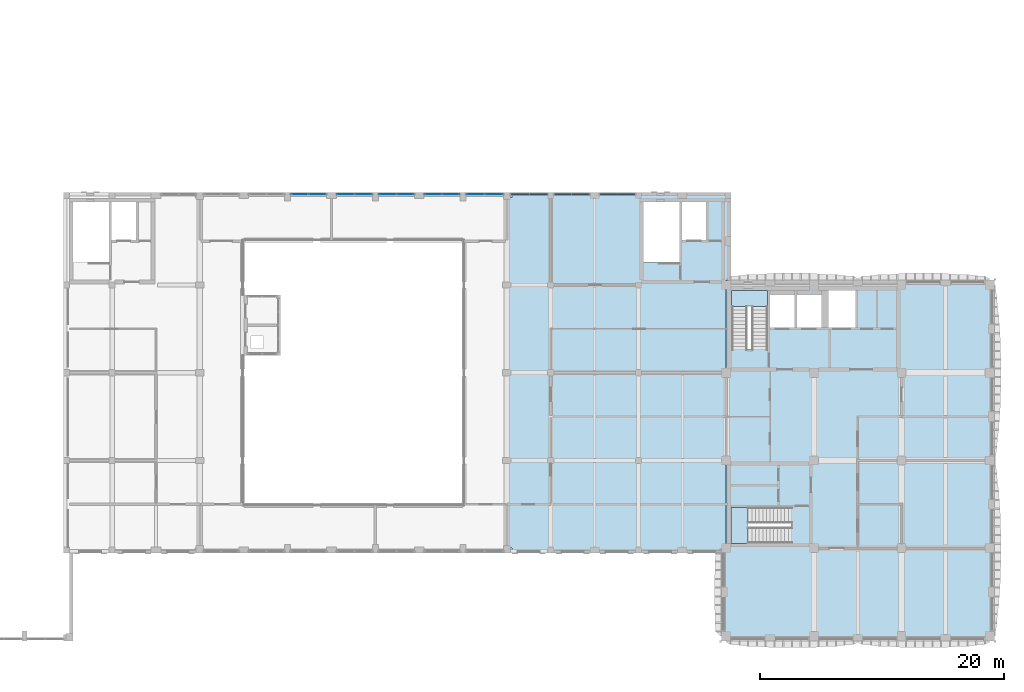
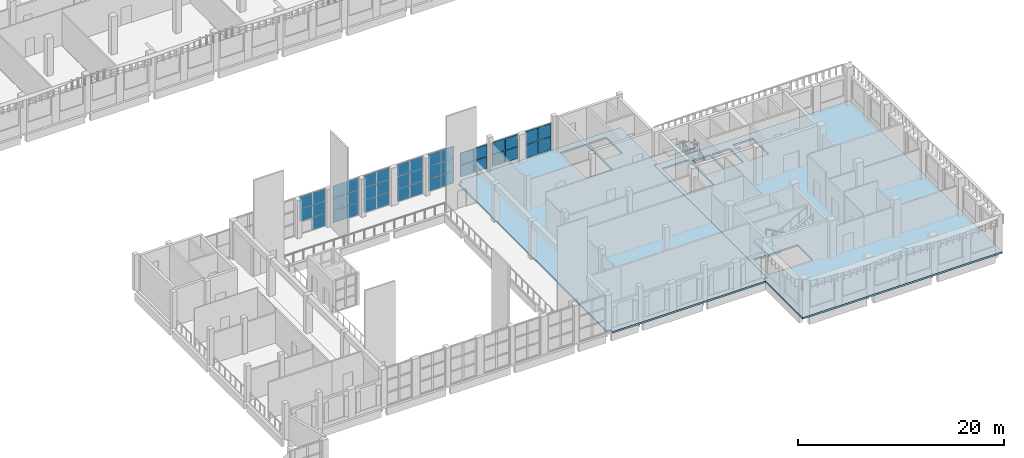
# One storey, part 16 of 54: 41 plates, 4 slabs, 10 elements without a shape of their own.
"""IFC4 building model written with IfcOpenShell, lengths in metres."""

from ifc_helpers import new_model, si_unit, direction, frame, origin, origin_2d, place, context, subcontext, project, spatial, polyline, rectangle, outline, extrude, material, layer, layer_set, type_object, element, aggregate, save


model = new_model("IFC4")

# Units and contexts
model_context = context("Model", 3, precision=1e-05, world=origin(), true_north=direction((0.0, 1.0)))
body_context = subcontext(model_context, "Body", "Model", "MODEL_VIEW")
ifc_project = project(units=[si_unit("LENGTHUNIT", "METRE"), si_unit("AREAUNIT", "SQUARE_METRE"), si_unit("VOLUMEUNIT", "CUBIC_METRE"), si_unit("PLANEANGLEUNIT", "RADIAN"), si_unit("MASSUNIT", "GRAM", prefix="KILO")], contexts=[model_context])

# Site, building, storey
site_placement = place(None, origin())
site = spatial("IfcSite", under=ifc_project, at=site_placement, CompositionType="ELEMENT")
building_placement = place(site_placement, origin())
building = spatial("IfcBuilding", under=site, at=building_placement, Name="Ussher Court Research Institute", CompositionType="ELEMENT")
storey_placement = place(building_placement, frame((0.0, 0.0, 14.39990234375)))
storey = spatial("IfcBuildingStorey", under=building, at=storey_placement, Name="L03", CompositionType="ELEMENT", Elevation=14.39990234375)

# Curtain wall, plates
ifc_material_1 = material(Name="Bronze anodised aluminium with fire-resisting glass", Category="aluminium")
ifc_layer_1 = layer(ifc_material_1, 0.1201171875)
ifc_layer_set_1 = layer_set([ifc_layer_1], Name="Bronze anodised aluminium with fire-resisting glass")
curtain_wall_type_1 = type_object("IfcCurtainWallType", Name="Curtain wall stair-side fire-resisting glazing", PredefinedType="NOTDEFINED", material=ifc_layer_set_1)
curtain_wall_1_placement = place(storey_placement, origin())
curtain_wall_1 = element("IfcCurtainWall", 1, at=curtain_wall_1_placement, inside=storey, type_object=curtain_wall_type_1, Name="Curtain wall CW13 L03", PredefinedType="NOTDEFINED")
ifc_material_2 = material(Name="Fire-resisting laminated glazed unit")
ifc_layer_2 = layer(ifc_material_2, 0.090087890625)
ifc_layer_set_2 = layer_set([ifc_layer_2], Name="Fire-resisting laminated glazed unit")
plate_type_1 = type_object("IfcPlateType", Name="Fire-resisting glazing panel EI 60 90 mm", PredefinedType="CURTAIN_PANEL", material=ifc_layer_set_2)
plate_1_placement = place(storey_placement, frame((72.552490234375, 40.25, 0.2099609375), z_axis=(0.0, 0.0, 1.0), x_axis=(1.0, 0.0, 0.0)))
plate_1 = element("IfcPlate", 2, at=plate_1_placement, type_object=plate_type_1, Name="CW13 panel 1.1", PredefinedType="CURTAIN_PANEL", context=body_context, shape_type="SweptSolid", body=[
    extrude(rectangle(XDim=1.385009765625, YDim=0.090087890625, at=origin_2d()), origin(), (0.0, 0.0, 1.0), 1.534912109375),
])
plate_2_placement = place(storey_placement, frame((72.552490234375, 40.25, 1.80517578125), z_axis=(0.0, 0.0, 1.0), x_axis=(1.0, 0.0, 0.0)))
plate_2 = element("IfcPlate", 3, at=plate_2_placement, type_object=plate_type_1, Name="CW13 panel 1.2", PredefinedType="CURTAIN_PANEL", context=body_context, shape_type="SweptSolid", body=[
    extrude(rectangle(XDim=1.385009765625, YDim=0.090087890625, at=origin_2d()), origin(), (0.0, 0.0, 1.0), 1.534912109375),
])
plate_3_placement = place(storey_placement, frame((73.99755859375, 40.25, 0.2099609375), z_axis=(0.0, 0.0, 1.0), x_axis=(1.0, 0.0, 0.0)))
plate_3 = element("IfcPlate", 4, at=plate_3_placement, type_object=plate_type_1, Name="CW13 panel 2.1", PredefinedType="CURTAIN_PANEL", context=body_context, shape_type="SweptSolid", body=[
    extrude(rectangle(XDim=1.385009765625, YDim=0.090087890625, at=origin_2d()), origin(), (0.0, 0.0, 1.0), 1.534912109375),
])
plate_4_placement = place(storey_placement, frame((73.99755859375, 40.25, 1.80517578125), z_axis=(0.0, 0.0, 1.0), x_axis=(1.0, 0.0, 0.0)))
plate_4 = element("IfcPlate", 5, at=plate_4_placement, type_object=plate_type_1, Name="CW13 panel 2.2", PredefinedType="CURTAIN_PANEL", context=body_context, shape_type="SweptSolid", body=[
    extrude(rectangle(XDim=1.385009765625, YDim=0.090087890625, at=origin_2d()), origin(), (0.0, 0.0, 1.0), 1.534912109375),
])
aggregate(curtain_wall_1, [plate_1, plate_2, plate_3, plate_4])

# Slabs
ifc_material_3 = material(Name="Concrete C35/45", Category="concrete")
ifc_layer_3 = layer(ifc_material_3, 0.199951171875)
ifc_layer_set_3 = layer_set([ifc_layer_3], Name="Concrete C35/45")
slab_type_1 = type_object("IfcSlabType", Name="Floor slab 200", PredefinedType="FLOOR", material=ifc_layer_set_3)
slab_1_placement = place(storey_placement, frame((0.0, 0.0, -0.199951171875)))
element("IfcSlab", 6, at=slab_1_placement, inside=storey, type_object=slab_type_1, Name="FS200 V4 L03-01", PredefinedType="FLOOR", context=body_context, shape_type="SweptSolid", body=[
    extrude(outline(polyline([(81.800048828125, 11.199951171875), (81.800048828125, 3.60009765625), (104.199951171875, 3.60009765625), (104.199951171875, 33.199951171875), (82.199951171875, 33.199951171875), (82.199951171875, 11.199951171875), (81.800048828125, 11.199951171875)]), holes=[polyline([(87.550048828125, 11.60009765625), (82.60009765625, 11.60009765625), (82.60009765625, 14.550048828125), (87.550048828125, 14.550048828125), (87.550048828125, 11.60009765625)]), polyline([(82.64990234375, 27.5), (82.64990234375, 32.35009765625), (85.60009765625, 32.35009765625), (85.60009765625, 27.5), (82.64990234375, 27.5)]), polyline([(87.800048828125, 29.300048828125), (85.800048828125, 29.300048828125), (85.800048828125, 32.0), (87.800048828125, 32.0), (87.800048828125, 29.300048828125)]), polyline([(90.0, 29.300048828125), (88.0, 29.300048828125), (88.0, 32.0), (90.0, 32.0), (90.0, 29.300048828125)]), polyline([(92.800048828125, 29.300048828125), (90.60009765625, 29.300048828125), (90.60009765625, 32.35009765625), (92.800048828125, 32.35009765625), (92.800048828125, 29.300048828125)])]), origin(), (0.0, 0.0, 1.0), 0.199951171875),
])
slab_2_placement = place(storey_placement, frame((0.0, 0.0, -0.199951171875)))
element("IfcSlab", 7, at=slab_2_placement, inside=storey, type_object=slab_type_1, Name="FS200 V7 L03-01", PredefinedType="FLOOR", context=body_context, shape_type="SweptSolid", body=[
    extrude(outline(polyline([(64.199951171875, 40.0), (64.199951171875, 11.199951171875), (64.60009765625, 11.199951171875), (64.60009765625, 10.800048828125), (81.800048828125, 10.800048828125), (81.800048828125, 11.199951171875), (82.199951171875, 11.199951171875), (82.199951171875, 33.199951171875), (82.60009765625, 33.199951171875), (82.60009765625, 40.39990234375), (64.60009765625, 40.39990234375), (64.60009765625, 40.0), (64.199951171875, 40.0)]), holes=[polyline([(78.35009765625, 34.64990234375), (75.39990234375, 34.64990234375), (75.39990234375, 39.60009765625), (78.35009765625, 39.60009765625), (78.35009765625, 34.64990234375)]), polyline([(80.550048828125, 39.60009765625), (80.550048828125, 36.5), (78.550048828125, 36.5), (78.550048828125, 39.60009765625), (80.550048828125, 39.60009765625)])]), origin(), (0.0, 0.0, 1.0), 0.199951171875),
])

# Curtain wall, plates
ifc_material_4 = material(Name="Bronze anodised aluminium with low-e glass", Category="aluminium")
ifc_layer_4 = layer(ifc_material_4, 0.159912109375)
ifc_layer_set_4 = layer_set([ifc_layer_4], Name="Bronze anodised aluminium with low-e glass")
curtain_wall_type_2 = type_object("IfcCurtainWallType", Name="Curtain wall atrium clerestory tall glazing", PredefinedType="NOTDEFINED", material=ifc_layer_set_4)
curtain_wall_2_placement = place(storey_placement, origin())
curtain_wall_2 = element("IfcCurtainWall", 8, at=curtain_wall_2_placement, inside=storey, type_object=curtain_wall_type_2, Name="Curtain wall CW3 L03", PredefinedType="NOTDEFINED")
ifc_material_5 = material(Name="Double glazed unit laminated")
ifc_layer_5 = layer(ifc_material_5, 0.035888671875)
ifc_layer_set_5 = layer_set([ifc_layer_5], Name="Double glazed unit laminated")
plate_type_2 = type_object("IfcPlateType", Name="Glazing panel 36 mm", PredefinedType="CURTAIN_PANEL", material=ifc_layer_set_5)
plate_5_placement = place(storey_placement, frame((47.202392578125, 40.25, 1.530029296875), z_axis=(0.0, 0.0, 1.0), x_axis=(1.0, 0.0, 0.0)))
plate_5 = element("IfcPlate", 9, at=plate_5_placement, type_object=plate_type_2, Name="CW3 panel 1.2", PredefinedType="CURTAIN_PANEL", context=body_context, shape_type="SweptSolid", body=[
    extrude(rectangle(XDim=1.385009765625, YDim=0.035888671875, at=origin_2d()), origin(), (0.0, 0.0, 1.0), 1.43994140625),
])
plate_6_placement = place(storey_placement, frame((47.202392578125, 40.25, 3.0302734375), z_axis=(0.0, 0.0, 1.0), x_axis=(1.0, 0.0, 0.0)))
plate_6 = element("IfcPlate", 10, at=plate_6_placement, type_object=plate_type_2, Name="CW3 panel 1.3", PredefinedType="CURTAIN_PANEL", context=body_context, shape_type="SweptSolid", body=[
    extrude(rectangle(XDim=1.385009765625, YDim=0.035888671875, at=origin_2d()), origin(), (0.0, 0.0, 1.0), 1.409912109375),
])
plate_7_placement = place(storey_placement, frame((48.6474609375, 40.25, 0.06005859375), z_axis=(0.0, 0.0, 1.0), x_axis=(1.0, 0.0, 0.0)))
plate_7 = element("IfcPlate", 11, at=plate_7_placement, type_object=plate_type_2, Name="CW3 panel 2.1", PredefinedType="CURTAIN_PANEL", context=body_context, shape_type="SweptSolid", body=[
    extrude(rectangle(XDim=1.385009765625, YDim=0.035888671875, at=origin_2d()), origin(), (0.0, 0.0, 1.0), 1.409912109375),
])
plate_8_placement = place(storey_placement, frame((48.6474609375, 40.25, 1.530029296875), z_axis=(0.0, 0.0, 1.0), x_axis=(1.0, 0.0, 0.0)))
plate_8 = element("IfcPlate", 12, at=plate_8_placement, type_object=plate_type_2, Name="CW3 panel 2.2", PredefinedType="CURTAIN_PANEL", context=body_context, shape_type="SweptSolid", body=[
    extrude(rectangle(XDim=1.385009765625, YDim=0.035888671875, at=origin_2d()), origin(), (0.0, 0.0, 1.0), 1.43994140625),
])
plate_9_placement = place(storey_placement, frame((48.6474609375, 40.25, 3.0302734375), z_axis=(0.0, 0.0, 1.0), x_axis=(1.0, 0.0, 0.0)))
plate_9 = element("IfcPlate", 13, at=plate_9_placement, type_object=plate_type_2, Name="CW3 panel 2.3", PredefinedType="CURTAIN_PANEL", context=body_context, shape_type="SweptSolid", body=[
    extrude(rectangle(XDim=1.385009765625, YDim=0.035888671875, at=origin_2d()), origin(), (0.0, 0.0, 1.0), 1.409912109375),
])
aggregate(curtain_wall_2, [plate_5, plate_6, plate_7, plate_8, plate_9])

curtain_wall_3_placement = place(storey_placement, origin())
curtain_wall_3 = element("IfcCurtainWall", 14, at=curtain_wall_3_placement, inside=storey, type_object=curtain_wall_type_2, Name="Curtain wall CW3 L03", PredefinedType="NOTDEFINED")
plate_10_placement = place(storey_placement, frame((50.952392578125, 40.25, 0.06005859375), z_axis=(0.0, 0.0, 1.0), x_axis=(1.0, 0.0, 0.0)))
plate_10 = element("IfcPlate", 15, at=plate_10_placement, type_object=plate_type_2, Name="CW3 panel 1.1", PredefinedType="CURTAIN_PANEL", context=body_context, shape_type="SweptSolid", body=[
    extrude(rectangle(XDim=1.385009765625, YDim=0.035888671875, at=origin_2d()), origin(), (0.0, 0.0, 1.0), 1.409912109375),
])
plate_11_placement = place(storey_placement, frame((50.952392578125, 40.25, 1.530029296875), z_axis=(0.0, 0.0, 1.0), x_axis=(1.0, 0.0, 0.0)))
plate_11 = element("IfcPlate", 16, at=plate_11_placement, type_object=plate_type_2, Name="CW3 panel 1.2", PredefinedType="CURTAIN_PANEL", context=body_context, shape_type="SweptSolid", body=[
    extrude(rectangle(XDim=1.385009765625, YDim=0.035888671875, at=origin_2d()), origin(), (0.0, 0.0, 1.0), 1.43994140625),
])
plate_12_placement = place(storey_placement, frame((50.952392578125, 40.25, 3.0302734375), z_axis=(0.0, 0.0, 1.0), x_axis=(1.0, 0.0, 0.0)))
plate_12 = element("IfcPlate", 17, at=plate_12_placement, type_object=plate_type_2, Name="CW3 panel 1.3", PredefinedType="CURTAIN_PANEL", context=body_context, shape_type="SweptSolid", body=[
    extrude(rectangle(XDim=1.385009765625, YDim=0.035888671875, at=origin_2d()), origin(), (0.0, 0.0, 1.0), 1.409912109375),
])
plate_13_placement = place(storey_placement, frame((52.3974609375, 40.25, 0.06005859375), z_axis=(0.0, 0.0, 1.0), x_axis=(1.0, 0.0, 0.0)))
plate_13 = element("IfcPlate", 18, at=plate_13_placement, type_object=plate_type_2, Name="CW3 panel 2.1", PredefinedType="CURTAIN_PANEL", context=body_context, shape_type="SweptSolid", body=[
    extrude(rectangle(XDim=1.385009765625, YDim=0.035888671875, at=origin_2d()), origin(), (0.0, 0.0, 1.0), 1.409912109375),
])
plate_14_placement = place(storey_placement, frame((52.3974609375, 40.25, 1.530029296875), z_axis=(0.0, 0.0, 1.0), x_axis=(1.0, 0.0, 0.0)))
plate_14 = element("IfcPlate", 19, at=plate_14_placement, type_object=plate_type_2, Name="CW3 panel 2.2", PredefinedType="CURTAIN_PANEL", context=body_context, shape_type="SweptSolid", body=[
    extrude(rectangle(XDim=1.385009765625, YDim=0.035888671875, at=origin_2d()), origin(), (0.0, 0.0, 1.0), 1.43994140625),
])
plate_15_placement = place(storey_placement, frame((52.3974609375, 40.25, 3.0302734375), z_axis=(0.0, 0.0, 1.0), x_axis=(1.0, 0.0, 0.0)))
plate_15 = element("IfcPlate", 20, at=plate_15_placement, type_object=plate_type_2, Name="CW3 panel 2.3", PredefinedType="CURTAIN_PANEL", context=body_context, shape_type="SweptSolid", body=[
    extrude(rectangle(XDim=1.385009765625, YDim=0.035888671875, at=origin_2d()), origin(), (0.0, 0.0, 1.0), 1.409912109375),
])
aggregate(curtain_wall_3, [plate_10, plate_11, plate_12, plate_13, plate_14, plate_15])

curtain_wall_4_placement = place(storey_placement, origin())
curtain_wall_4 = element("IfcCurtainWall", 21, at=curtain_wall_4_placement, inside=storey, type_object=curtain_wall_type_2, Name="Curtain wall CW3 L03", PredefinedType="NOTDEFINED")
plate_16_placement = place(storey_placement, frame((54.402587890625, 40.25, 0.06005859375), z_axis=(0.0, 0.0, 1.0), x_axis=(1.0, 0.0, 0.0)))
plate_16 = element("IfcPlate", 22, at=plate_16_placement, type_object=plate_type_2, Name="CW3 panel 1.1", PredefinedType="CURTAIN_PANEL", context=body_context, shape_type="SweptSolid", body=[
    extrude(rectangle(XDim=1.385009765625, YDim=0.035888671875, at=origin_2d()), origin(), (0.0, 0.0, 1.0), 1.409912109375),
])
plate_17_placement = place(storey_placement, frame((54.402587890625, 40.25, 1.530029296875), z_axis=(0.0, 0.0, 1.0), x_axis=(1.0, 0.0, 0.0)))
plate_17 = element("IfcPlate", 23, at=plate_17_placement, type_object=plate_type_2, Name="CW3 panel 1.2", PredefinedType="CURTAIN_PANEL", context=body_context, shape_type="SweptSolid", body=[
    extrude(rectangle(XDim=1.385009765625, YDim=0.035888671875, at=origin_2d()), origin(), (0.0, 0.0, 1.0), 1.43994140625),
])
plate_18_placement = place(storey_placement, frame((54.402587890625, 40.25, 3.0302734375), z_axis=(0.0, 0.0, 1.0), x_axis=(1.0, 0.0, 0.0)))
plate_18 = element("IfcPlate", 24, at=plate_18_placement, type_object=plate_type_2, Name="CW3 panel 1.3", PredefinedType="CURTAIN_PANEL", context=body_context, shape_type="SweptSolid", body=[
    extrude(rectangle(XDim=1.385009765625, YDim=0.035888671875, at=origin_2d()), origin(), (0.0, 0.0, 1.0), 1.409912109375),
])
plate_19_placement = place(storey_placement, frame((55.847412109375, 40.25, 0.06005859375), z_axis=(0.0, 0.0, 1.0), x_axis=(1.0, 0.0, 0.0)))
plate_19 = element("IfcPlate", 25, at=plate_19_placement, type_object=plate_type_2, Name="CW3 panel 2.1", PredefinedType="CURTAIN_PANEL", context=body_context, shape_type="SweptSolid", body=[
    extrude(rectangle(XDim=1.385009765625, YDim=0.035888671875, at=origin_2d()), origin(), (0.0, 0.0, 1.0), 1.409912109375),
])
plate_20_placement = place(storey_placement, frame((55.847412109375, 40.25, 1.530029296875), z_axis=(0.0, 0.0, 1.0), x_axis=(1.0, 0.0, 0.0)))
plate_20 = element("IfcPlate", 26, at=plate_20_placement, type_object=plate_type_2, Name="CW3 panel 2.2", PredefinedType="CURTAIN_PANEL", context=body_context, shape_type="SweptSolid", body=[
    extrude(rectangle(XDim=1.385009765625, YDim=0.035888671875, at=origin_2d()), origin(), (0.0, 0.0, 1.0), 1.43994140625),
])
plate_21_placement = place(storey_placement, frame((55.847412109375, 40.25, 3.0302734375), z_axis=(0.0, 0.0, 1.0), x_axis=(1.0, 0.0, 0.0)))
plate_21 = element("IfcPlate", 27, at=plate_21_placement, type_object=plate_type_2, Name="CW3 panel 2.3", PredefinedType="CURTAIN_PANEL", context=body_context, shape_type="SweptSolid", body=[
    extrude(rectangle(XDim=1.385009765625, YDim=0.035888671875, at=origin_2d()), origin(), (0.0, 0.0, 1.0), 1.409912109375),
])
aggregate(curtain_wall_4, [plate_16, plate_17, plate_18, plate_19, plate_20, plate_21])

curtain_wall_5_placement = place(storey_placement, origin())
curtain_wall_5 = element("IfcCurtainWall", 28, at=curtain_wall_5_placement, inside=storey, type_object=curtain_wall_type_2, Name="Curtain wall CW3 L03", PredefinedType="NOTDEFINED")
plate_22_placement = place(storey_placement, frame((58.152587890625, 40.25, 0.06005859375), z_axis=(0.0, 0.0, 1.0), x_axis=(1.0, 0.0, 0.0)))
plate_22 = element("IfcPlate", 29, at=plate_22_placement, type_object=plate_type_2, Name="CW3 panel 1.1", PredefinedType="CURTAIN_PANEL", context=body_context, shape_type="SweptSolid", body=[
    extrude(rectangle(XDim=1.385009765625, YDim=0.035888671875, at=origin_2d()), origin(), (0.0, 0.0, 1.0), 1.409912109375),
])
plate_23_placement = place(storey_placement, frame((58.152587890625, 40.25, 1.530029296875), z_axis=(0.0, 0.0, 1.0), x_axis=(1.0, 0.0, 0.0)))
plate_23 = element("IfcPlate", 30, at=plate_23_placement, type_object=plate_type_2, Name="CW3 panel 1.2", PredefinedType="CURTAIN_PANEL", context=body_context, shape_type="SweptSolid", body=[
    extrude(rectangle(XDim=1.385009765625, YDim=0.035888671875, at=origin_2d()), origin(), (0.0, 0.0, 1.0), 1.43994140625),
])
plate_24_placement = place(storey_placement, frame((58.152587890625, 40.25, 3.0302734375), z_axis=(0.0, 0.0, 1.0), x_axis=(1.0, 0.0, 0.0)))
plate_24 = element("IfcPlate", 31, at=plate_24_placement, type_object=plate_type_2, Name="CW3 panel 1.3", PredefinedType="CURTAIN_PANEL", context=body_context, shape_type="SweptSolid", body=[
    extrude(rectangle(XDim=1.385009765625, YDim=0.035888671875, at=origin_2d()), origin(), (0.0, 0.0, 1.0), 1.409912109375),
])
plate_25_placement = place(storey_placement, frame((59.597412109375, 40.25, 0.06005859375), z_axis=(0.0, 0.0, 1.0), x_axis=(1.0, 0.0, 0.0)))
plate_25 = element("IfcPlate", 32, at=plate_25_placement, type_object=plate_type_2, Name="CW3 panel 2.1", PredefinedType="CURTAIN_PANEL", context=body_context, shape_type="SweptSolid", body=[
    extrude(rectangle(XDim=1.385009765625, YDim=0.035888671875, at=origin_2d()), origin(), (0.0, 0.0, 1.0), 1.409912109375),
])
plate_26_placement = place(storey_placement, frame((59.597412109375, 40.25, 1.530029296875), z_axis=(0.0, 0.0, 1.0), x_axis=(1.0, 0.0, 0.0)))
plate_26 = element("IfcPlate", 33, at=plate_26_placement, type_object=plate_type_2, Name="CW3 panel 2.2", PredefinedType="CURTAIN_PANEL", context=body_context, shape_type="SweptSolid", body=[
    extrude(rectangle(XDim=1.385009765625, YDim=0.035888671875, at=origin_2d()), origin(), (0.0, 0.0, 1.0), 1.43994140625),
])
plate_27_placement = place(storey_placement, frame((59.597412109375, 40.25, 3.0302734375), z_axis=(0.0, 0.0, 1.0), x_axis=(1.0, 0.0, 0.0)))
plate_27 = element("IfcPlate", 34, at=plate_27_placement, type_object=plate_type_2, Name="CW3 panel 2.3", PredefinedType="CURTAIN_PANEL", context=body_context, shape_type="SweptSolid", body=[
    extrude(rectangle(XDim=1.385009765625, YDim=0.035888671875, at=origin_2d()), origin(), (0.0, 0.0, 1.0), 1.409912109375),
])
aggregate(curtain_wall_5, [plate_22, plate_23, plate_24, plate_25, plate_26, plate_27])

curtain_wall_6_placement = place(storey_placement, origin())
curtain_wall_6 = element("IfcCurtainWall", 35, at=curtain_wall_6_placement, inside=storey, type_object=curtain_wall_type_2, Name="Curtain wall CW3 L03", PredefinedType="NOTDEFINED")
plate_28_placement = place(storey_placement, frame((61.62744140625, 40.25, 0.06005859375), z_axis=(0.0, 0.0, 1.0), x_axis=(1.0, 0.0, 0.0)))
plate_28 = element("IfcPlate", 36, at=plate_28_placement, type_object=plate_type_2, Name="CW3 panel 1.1", PredefinedType="CURTAIN_PANEL", context=body_context, shape_type="SweptSolid", body=[
    extrude(rectangle(XDim=1.43505859375, YDim=0.035888671875, at=origin_2d()), origin(), (0.0, 0.0, 1.0), 1.409912109375),
])
plate_29_placement = place(storey_placement, frame((61.62744140625, 40.25, 1.530029296875), z_axis=(0.0, 0.0, 1.0), x_axis=(1.0, 0.0, 0.0)))
plate_29 = element("IfcPlate", 37, at=plate_29_placement, type_object=plate_type_2, Name="CW3 panel 1.2", PredefinedType="CURTAIN_PANEL", context=body_context, shape_type="SweptSolid", body=[
    extrude(rectangle(XDim=1.43505859375, YDim=0.035888671875, at=origin_2d()), origin(), (0.0, 0.0, 1.0), 1.43994140625),
])
plate_30_placement = place(storey_placement, frame((61.62744140625, 40.25, 3.0302734375), z_axis=(0.0, 0.0, 1.0), x_axis=(1.0, 0.0, 0.0)))
plate_30 = element("IfcPlate", 38, at=plate_30_placement, type_object=plate_type_2, Name="CW3 panel 1.3", PredefinedType="CURTAIN_PANEL", context=body_context, shape_type="SweptSolid", body=[
    extrude(rectangle(XDim=1.43505859375, YDim=0.035888671875, at=origin_2d()), origin(), (0.0, 0.0, 1.0), 1.409912109375),
])
plate_31_placement = place(storey_placement, frame((63.12255859375, 40.25, 0.06005859375), z_axis=(0.0, 0.0, 1.0), x_axis=(1.0, 0.0, 0.0)))
plate_31 = element("IfcPlate", 39, at=plate_31_placement, type_object=plate_type_2, Name="CW3 panel 2.1", PredefinedType="CURTAIN_PANEL", context=body_context, shape_type="SweptSolid", body=[
    extrude(rectangle(XDim=1.43505859375, YDim=0.035888671875, at=origin_2d()), origin(), (0.0, 0.0, 1.0), 1.409912109375),
])
plate_32_placement = place(storey_placement, frame((63.12255859375, 40.25, 1.530029296875), z_axis=(0.0, 0.0, 1.0), x_axis=(1.0, 0.0, 0.0)))
plate_32 = element("IfcPlate", 40, at=plate_32_placement, type_object=plate_type_2, Name="CW3 panel 2.2", PredefinedType="CURTAIN_PANEL", context=body_context, shape_type="SweptSolid", body=[
    extrude(rectangle(XDim=1.43505859375, YDim=0.035888671875, at=origin_2d()), origin(), (0.0, 0.0, 1.0), 1.43994140625),
])
plate_33_placement = place(storey_placement, frame((63.12255859375, 40.25, 3.0302734375), z_axis=(0.0, 0.0, 1.0), x_axis=(1.0, 0.0, 0.0)))
plate_33 = element("IfcPlate", 41, at=plate_33_placement, type_object=plate_type_2, Name="CW3 panel 2.3", PredefinedType="CURTAIN_PANEL", context=body_context, shape_type="SweptSolid", body=[
    extrude(rectangle(XDim=1.43505859375, YDim=0.035888671875, at=origin_2d()), origin(), (0.0, 0.0, 1.0), 1.409912109375),
])
aggregate(curtain_wall_6, [plate_28, plate_29, plate_30, plate_31, plate_32, plate_33])

ifc_material_6 = material(Name="Bronze anodised aluminium with solar-control glass", Category="aluminium")
ifc_layer_6 = layer(ifc_material_6, 0.1201171875)
ifc_layer_set_6 = layer_set([ifc_layer_6], Name="Bronze anodised aluminium with solar-control glass")
curtain_wall_type_3 = type_object("IfcCurtainWallType", Name="Curtain wall reading gallery front", PredefinedType="NOTDEFINED", material=ifc_layer_set_6)
curtain_wall_7_placement = place(storey_placement, origin())
curtain_wall_7 = element("IfcCurtainWall", 42, at=curtain_wall_7_placement, inside=storey, type_object=curtain_wall_type_3, Name="Curtain wall CW12 L03", PredefinedType="NOTDEFINED")
ifc_material_7 = material(Name="Solar-control triple glazed unit")
ifc_layer_7 = layer(ifc_material_7, 0.10009765625)
ifc_layer_set_7 = layer_set([ifc_layer_7], Name="Solar-control triple glazed unit")
plate_type_3 = type_object("IfcPlateType", Name="Solar-control triple glazing panel 100 mm", PredefinedType="CURTAIN_PANEL", material=ifc_layer_set_7)
plate_34_placement = place(storey_placement, frame((65.277587890625, 40.25, 0.51025390625), z_axis=(0.0, 0.0, 1.0), x_axis=(1.0, 0.0, 0.0)))
plate_34 = element("IfcPlate", 43, at=plate_34_placement, type_object=plate_type_3, Name="CW12 panel 1.1", PredefinedType="CURTAIN_PANEL", context=body_context, shape_type="SweptSolid", body=[
    extrude(rectangle(XDim=1.43505859375, YDim=0.10009765625, at=origin_2d()), origin(), (0.0, 0.0, 1.0), 1.385009765625),
])
plate_35_placement = place(storey_placement, frame((65.277587890625, 40.25, 1.955078125), z_axis=(0.0, 0.0, 1.0), x_axis=(1.0, 0.0, 0.0)))
plate_35 = element("IfcPlate", 44, at=plate_35_placement, type_object=plate_type_3, Name="CW12 panel 1.2", PredefinedType="CURTAIN_PANEL", context=body_context, shape_type="SweptSolid", body=[
    extrude(rectangle(XDim=1.43505859375, YDim=0.10009765625, at=origin_2d()), origin(), (0.0, 0.0, 1.0), 1.385009765625),
])
plate_36_placement = place(storey_placement, frame((66.7724609375, 40.25, 0.51025390625), z_axis=(0.0, 0.0, 1.0), x_axis=(1.0, 0.0, 0.0)))
plate_36 = element("IfcPlate", 45, at=plate_36_placement, type_object=plate_type_3, Name="CW12 panel 2.1", PredefinedType="CURTAIN_PANEL", context=body_context, shape_type="SweptSolid", body=[
    extrude(rectangle(XDim=1.43505859375, YDim=0.10009765625, at=origin_2d()), origin(), (0.0, 0.0, 1.0), 1.385009765625),
])
plate_37_placement = place(storey_placement, frame((66.7724609375, 40.25, 1.955078125), z_axis=(0.0, 0.0, 1.0), x_axis=(1.0, 0.0, 0.0)))
plate_37 = element("IfcPlate", 46, at=plate_37_placement, type_object=plate_type_3, Name="CW12 panel 2.2", PredefinedType="CURTAIN_PANEL", context=body_context, shape_type="SweptSolid", body=[
    extrude(rectangle(XDim=1.43505859375, YDim=0.10009765625, at=origin_2d()), origin(), (0.0, 0.0, 1.0), 1.385009765625),
])
aggregate(curtain_wall_7, [plate_34, plate_35, plate_36, plate_37])

curtain_wall_8_placement = place(storey_placement, origin())
curtain_wall_8 = element("IfcCurtainWall", 47, at=curtain_wall_8_placement, inside=storey, type_object=curtain_wall_type_3, Name="Curtain wall CW12 L03", PredefinedType="NOTDEFINED")
plate_38_placement = place(storey_placement, frame((68.802490234375, 40.25, 0.51025390625), z_axis=(0.0, 0.0, 1.0), x_axis=(1.0, 0.0, 0.0)))
plate_38 = element("IfcPlate", 48, at=plate_38_placement, type_object=plate_type_3, Name="CW12 panel 1.1", PredefinedType="CURTAIN_PANEL", context=body_context, shape_type="SweptSolid", body=[
    extrude(rectangle(XDim=1.385009765625, YDim=0.10009765625, at=origin_2d()), origin(), (0.0, 0.0, 1.0), 1.385009765625),
])
plate_39_placement = place(storey_placement, frame((68.802490234375, 40.25, 1.955078125), z_axis=(0.0, 0.0, 1.0), x_axis=(1.0, 0.0, 0.0)))
plate_39 = element("IfcPlate", 49, at=plate_39_placement, type_object=plate_type_3, Name="CW12 panel 1.2", PredefinedType="CURTAIN_PANEL", context=body_context, shape_type="SweptSolid", body=[
    extrude(rectangle(XDim=1.385009765625, YDim=0.10009765625, at=origin_2d()), origin(), (0.0, 0.0, 1.0), 1.385009765625),
])
plate_40_placement = place(storey_placement, frame((70.24755859375, 40.25, 0.51025390625), z_axis=(0.0, 0.0, 1.0), x_axis=(1.0, 0.0, 0.0)))
plate_40 = element("IfcPlate", 50, at=plate_40_placement, type_object=plate_type_3, Name="CW12 panel 2.1", PredefinedType="CURTAIN_PANEL", context=body_context, shape_type="SweptSolid", body=[
    extrude(rectangle(XDim=1.385009765625, YDim=0.10009765625, at=origin_2d()), origin(), (0.0, 0.0, 1.0), 1.385009765625),
])
plate_41_placement = place(storey_placement, frame((70.24755859375, 40.25, 1.955078125), z_axis=(0.0, 0.0, 1.0), x_axis=(1.0, 0.0, 0.0)))
plate_41 = element("IfcPlate", 51, at=plate_41_placement, type_object=plate_type_3, Name="CW12 panel 2.2", PredefinedType="CURTAIN_PANEL", context=body_context, shape_type="SweptSolid", body=[
    extrude(rectangle(XDim=1.385009765625, YDim=0.10009765625, at=origin_2d()), origin(), (0.0, 0.0, 1.0), 1.385009765625),
])
aggregate(curtain_wall_8, [plate_38, plate_39, plate_40, plate_41])

# Stair, slab
ifc_material_8 = material(Name="Concrete C35/45", Category="concrete")
stair_type_1 = type_object("IfcStairType", Name="Core stair 26 risers 173 mm x 300 going 1280 wide", PredefinedType="HALF_TURN_STAIR", material=ifc_material_8)
stair_1_placement = place(storey_placement, origin())
stair_1 = element("IfcStair", 52, at=stair_1_placement, inside=storey, type_object=stair_type_1, Name="L03 Stair T1", PredefinedType="HALF_TURN_STAIR")
ifc_material_9 = material(Name="Concrete C35/45", Category="concrete")
ifc_layer_8 = layer(ifc_material_9, 0.199951171875)
ifc_layer_set_8 = layer_set([ifc_layer_8], Name="Concrete C35/45")
slab_type_2 = type_object("IfcSlabType", Name="Stair landing 200 RC", PredefinedType="LANDING", material=ifc_layer_set_8)
slab_3_placement = place(storey_placement, frame((0.0, 0.0, 2.050048828125)))
slab_3 = element("IfcSlab", 53, at=slab_3_placement, type_object=slab_type_2, Name="T1 landing 1", PredefinedType="LANDING", context=body_context, shape_type="SweptSolid", body=[
    extrude(outline(polyline([(85.60009765625, 31.050048828125), (85.60009765625, 32.35009765625), (82.64990234375, 32.35009765625), (82.64990234375, 31.050048828125), (85.60009765625, 31.050048828125)])), origin(), (0.0, 0.0, 1.0), 0.199951171875),
])
aggregate(stair_1, [slab_3])

ifc_material_10 = material(Name="Concrete C35/45", Category="concrete")
stair_type_2 = type_object("IfcStairType", Name="Core stair 26 risers 173 mm x 300 going 1300 wide", PredefinedType="HALF_TURN_STAIR", material=ifc_material_10)
stair_2_placement = place(storey_placement, origin())
stair_2 = element("IfcStair", 54, at=stair_2_placement, inside=storey, type_object=stair_type_2, Name="L03 Stair T2", PredefinedType="HALF_TURN_STAIR")
slab_4_placement = place(storey_placement, frame((0.0, 0.0, 2.050048828125)))
slab_4 = element("IfcSlab", 55, at=slab_4_placement, type_object=slab_type_2, Name="T2 landing 1", PredefinedType="LANDING", context=body_context, shape_type="SweptSolid", body=[
    extrude(outline(polyline([(84.0, 14.550048828125), (82.60009765625, 14.550048828125), (82.60009765625, 11.60009765625), (84.0, 11.60009765625), (84.0, 14.550048828125)])), origin(), (0.0, 0.0, 1.0), 0.199951171875),
])
aggregate(stair_2, [slab_4])

save(model, "model.ifc")
